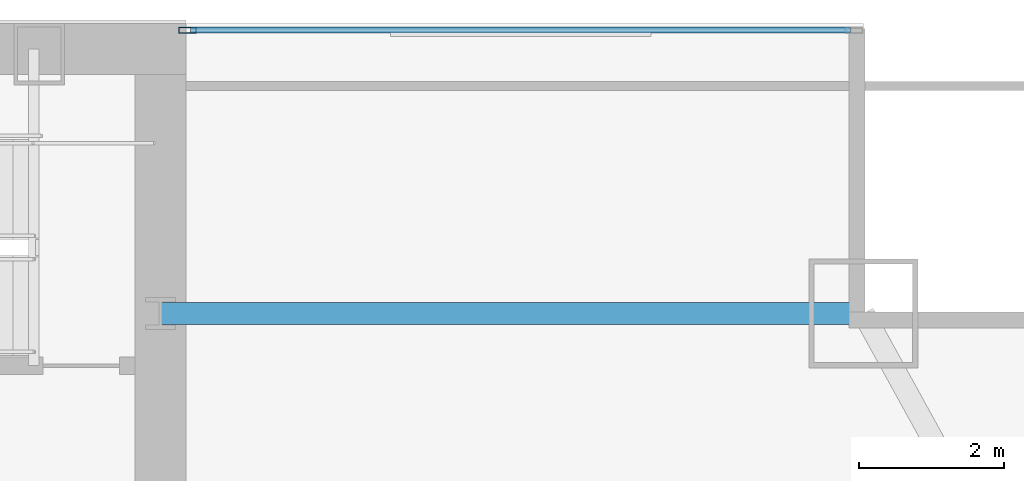
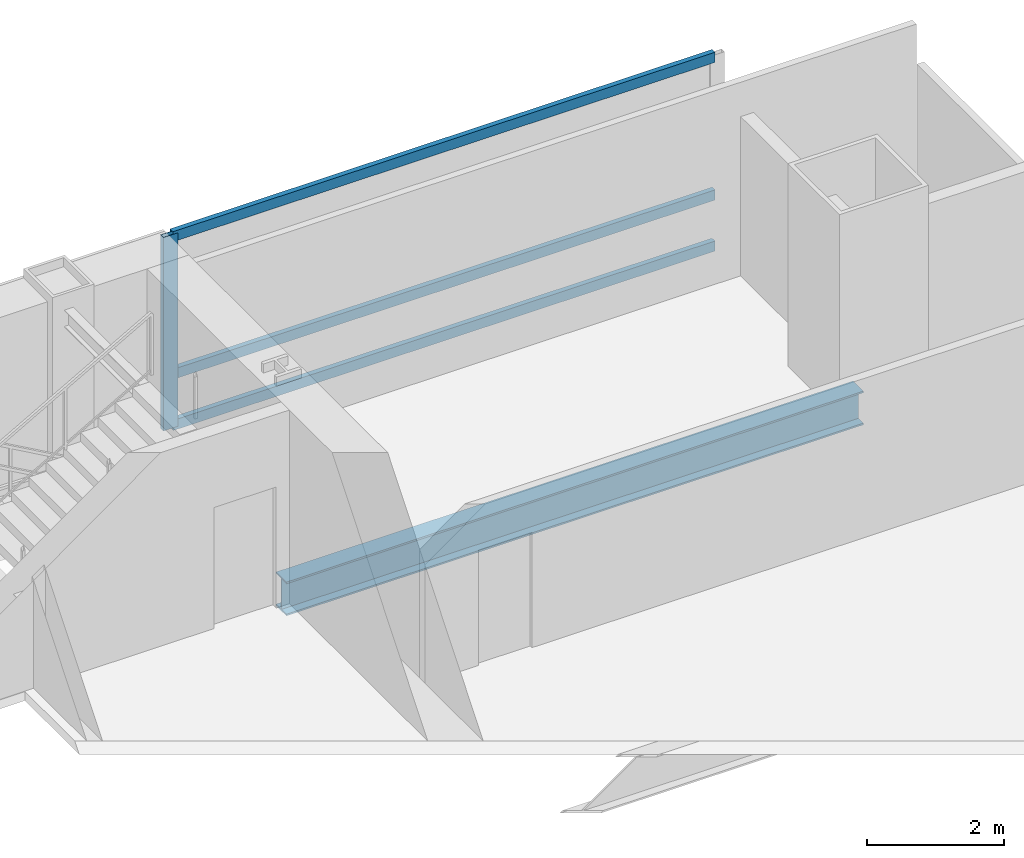
# One storey, part 20 of 31: 4 members, 1 beam, 1 element without a shape of its own.
"""IFC4 building model written with IfcOpenShell, lengths in metres."""

from ifc_helpers import new_model, si_unit, direction, frame, origin, origin_2d, place, context, subcontext, project, spatial, hollow_rectangle, i_section, extrude, material, material_profile, profile_set, type_object, element, aggregate, save


model = new_model("IFC4")

# Units and contexts
model_context = context("Model", 3, precision=1e-05, world=origin(), true_north=direction((0.0, 1.0)))
body_context = subcontext(model_context, "Body", "Model", "MODEL_VIEW")
ifc_project = project(units=[si_unit("LENGTHUNIT", "METRE"), si_unit("AREAUNIT", "SQUARE_METRE"), si_unit("VOLUMEUNIT", "CUBIC_METRE"), si_unit("PLANEANGLEUNIT", "RADIAN"), si_unit("MASSUNIT", "GRAM", prefix="KILO")], contexts=[model_context])

# Site, building, storey
site_placement = place(None, origin())
site = spatial("IfcSite", under=ifc_project, at=site_placement, CompositionType="ELEMENT")
building_placement = place(site_placement, origin())
building = spatial("IfcBuilding", under=site, at=building_placement, Name="Khoronbel Lancet Exchange", CompositionType="ELEMENT")
storey_placement = place(building_placement, frame((0.0, 0.0, 121.800048828125)))
storey = spatial("IfcBuildingStorey", under=building, at=storey_placement, Name="L29", CompositionType="ELEMENT", Elevation=121.800048828125)

# Beam
ifc_material_1 = material(Name="Steel S355", Category="steel")
ifc_material_profile_1 = material_profile(ifc_material_1, i_section(OverallWidth=0.300048828125, OverallDepth=0.60009765625, WebThickness=0.015380859375, FlangeThickness=0.030029296875, at=origin_2d()), Name="HEB 600")
ifc_profile_set_1 = profile_set([ifc_material_profile_1], Name="Steel S355")
beam_type = type_object("IfcBeamType", Name="BM-BSP2", PredefinedType="SPANDREL", material=ifc_profile_set_1)
beam_placement = place(storey_placement, frame((66.050048828125, 49.699951171875, -0.4599609375), z_axis=(-1.0, 0.0, 0.0), x_axis=(0.0, -1.0, 0.0)))
element("IfcBeam", 1, at=beam_placement, inside=storey, type_object=beam_type, Name="Level L29 north flank tie spandrel SP23", PredefinedType="SPANDREL", context=body_context, shape_type="SweptSolid", body=[
    extrude(i_section(OverallWidth=0.300048828125, OverallDepth=0.60009765625, WebThickness=0.015380859375, FlangeThickness=0.030029296875, at=origin_2d()), origin(), (0.0, 0.0, 1.0), 9.699951171875),
])

# Curtain wall, members
ifc_material_2 = material(Name="Low-E Solar Control Insulating Glass", Category="glass")
curtain_wall_type = type_object("IfcCurtainWallType", Name="CW-2", PredefinedType="NOTDEFINED", material=ifc_material_2)
curtain_wall_placement = place(storey_placement, origin())
curtain_wall = element("IfcCurtainWall", 2, at=curtain_wall_placement, inside=storey, type_object=curtain_wall_type, Name="Unitised curtain wall CW-L29-NEFLK", PredefinedType="NOTDEFINED")
ifc_material_3 = material(Name="Bronze-Anodised Aluminium 6063-T6", Category="aluminium")
ifc_material_profile_2 = material_profile(ifc_material_3, hollow_rectangle(XDim=0.0849609375, YDim=0.239990234375, WallThickness=0.006103515625, at=origin_2d()), Name="ALU MULLION 85x240")
ifc_profile_set_2 = profile_set([ifc_material_profile_2], Name="Bronze-Anodised Aluminium 6063-T6")
member_type_1 = type_object("IfcMemberType", Name="MEM-CWM1", PredefinedType="MULLION", material=ifc_profile_set_2)
member_1_placement = place(storey_placement, frame((56.722412109375, 53.610107421875, 0.0), z_axis=(0.0, 0.0, 1.0), x_axis=(0.0, -1.0, 0.0)))
member_1 = element("IfcMember", 3, at=member_1_placement, type_object=member_type_1, Name="CW2 mullion 2", PredefinedType="MULLION", context=body_context, shape_type="SweptSolid", body=[
    extrude(hollow_rectangle(XDim=0.0849609375, YDim=0.239990234375, WallThickness=0.006103515625, at=origin_2d()), origin(), (0.0, 0.0, 1.0), 3.43994140625),
])
ifc_material_profile_3 = material_profile(ifc_material_3, hollow_rectangle(XDim=0.0849609375, YDim=0.179931640625, WallThickness=0.0048828125, at=origin_2d()), Name="ALU TRANSOM 85x180")
ifc_profile_set_3 = profile_set([ifc_material_profile_3], Name="Bronze-Anodised Aluminium 6063-T6")
member_type_2 = type_object("IfcMemberType", Name="MEM-CWT1", PredefinedType="USERDEFINED", material=ifc_profile_set_3)
member_2_placement = place(storey_placement, frame((65.875, 53.610107421875, 0.04248046875), z_axis=(-1.0, 0.0, 0.0), x_axis=(0.0, -1.0, 0.0)))
member_2 = element("IfcMember", 4, at=member_2_placement, type_object=member_type_2, Name="CW2 transom 1.1", ObjectType="TRANSOM", PredefinedType="USERDEFINED", context=body_context, shape_type="SweptSolid", body=[
    extrude(hollow_rectangle(XDim=0.0849609375, YDim=0.179931640625, WallThickness=0.0048828125, at=origin_2d()), origin(), (0.0, 0.0, 1.0), 9.110107421875),
])
member_3_placement = place(storey_placement, frame((65.875, 53.610107421875, 0.949951171875), z_axis=(-1.0, 0.0, 0.0), x_axis=(0.0, -1.0, 0.0)))
member_3 = element("IfcMember", 5, at=member_3_placement, type_object=member_type_2, Name="CW2 transom 1.2", ObjectType="TRANSOM", PredefinedType="USERDEFINED", context=body_context, shape_type="SweptSolid", body=[
    extrude(hollow_rectangle(XDim=0.0849609375, YDim=0.179931640625, WallThickness=0.0048828125, at=origin_2d()), origin(), (0.0, 0.0, 1.0), 9.110107421875),
])
member_4_placement = place(storey_placement, frame((65.875, 53.610107421875, 3.3974609375), z_axis=(-1.0, 0.0, 0.0), x_axis=(0.0, -1.0, 0.0)))
member_4 = element("IfcMember", 6, at=member_4_placement, type_object=member_type_2, Name="CW2 transom 1.3", ObjectType="TRANSOM", PredefinedType="USERDEFINED", context=body_context, shape_type="SweptSolid", body=[
    extrude(hollow_rectangle(XDim=0.0849609375, YDim=0.179931640625, WallThickness=0.0048828125, at=origin_2d()), origin(), (0.0, 0.0, 1.0), 9.110107421875),
])
aggregate(curtain_wall, [member_1, member_2, member_3, member_4])

save(model, "model.ifc")
